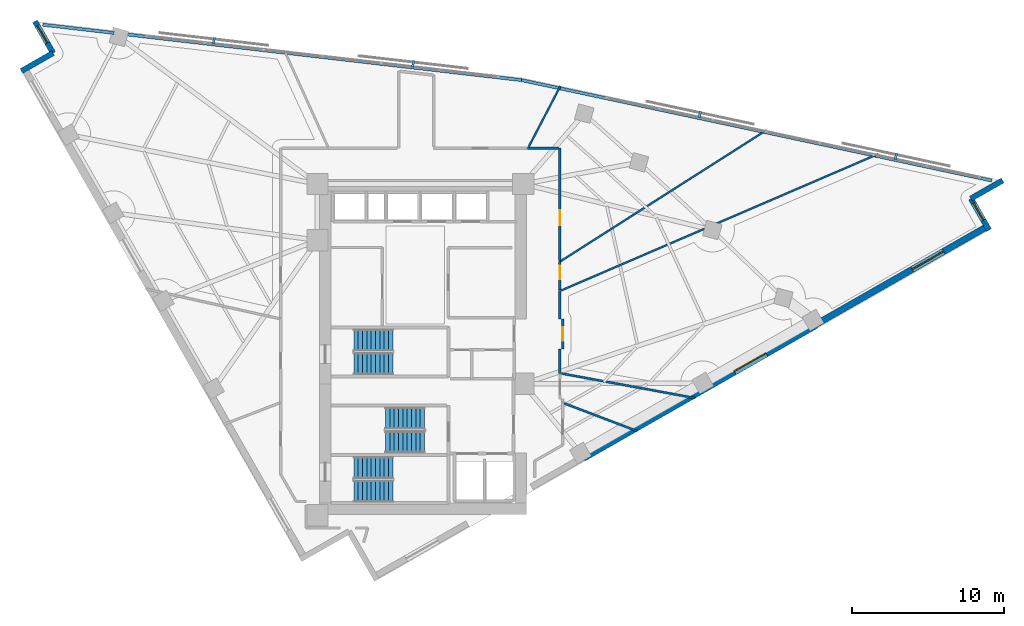
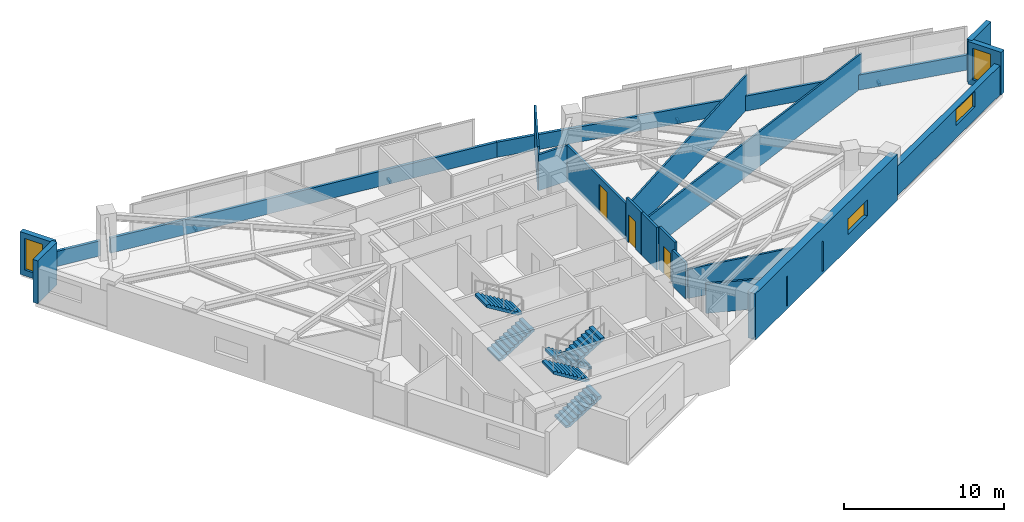
# One storey, part 11 of 13: 20 walls, 6 stair flights, 4 discrete accessories, 4 windows, 3 doors, 7 openings, 3 elements without a shape of their own.
"""IFC4 building model written with IfcOpenShell, lengths in metres."""

import ifcopenshell
import ifcopenshell.guid

model = None  # the IFC model being written
_history = None  # IfcOwnerHistory: only IFC2X3 demands one
_inside = {}  # id of a spatial element -> (the spatial element, [elements in it])
_under = {}  # id of a project, library or spatial element -> (it, [spatial elements below it])
_declared = {}  # id of a project -> (the project, [libraries it declares])
_typed = {}  # id of a type object -> (the type object, [elements of that type])
_made_of = {}  # id of a material, layer set ... -> (it, [elements and type objects made of it])


def new_model(schema):
    """Start an empty IFC model of exactly this schema.

    Asked for "IFC4X3", IfcOpenShell would pick the latest addendum, in which some entities
    have other attributes; the version numbers below select the first issue.
    IFC2X3 requires an IfcOwnerHistory on every rooted entity: one is made here for all.
    """
    global model, _history
    if schema == "IFC4X3":
        model = ifcopenshell.file(schema_version=(4, 3, 0, 0))
    else:
        model = ifcopenshell.file(schema=schema)
    _inside.clear()
    _under.clear()
    _declared.clear()
    _typed.clear()
    _made_of.clear()
    _history = None
    if model.schema == "IFC2X3":
        org = make("IfcOrganization", Name="unknown")
        user = make(
            "IfcPersonAndOrganization",
            ThePerson=make("IfcPerson", FamilyName="unknown"),
            TheOrganization=org,
        )
        app = make(
            "IfcApplication",
            ApplicationDeveloper=org,
            Version="unknown",
            ApplicationFullName="unknown",
            ApplicationIdentifier="unknown",
        )
        _history = make(
            "IfcOwnerHistory",
            OwningUser=user,
            OwningApplication=app,
            ChangeAction="ADDED",
            CreationDate=0,
        )
    return model


def make(cls, **values):
    """One entity of the class cls with the attributes given. An attribute that is None is left unset."""
    return model.create_entity(
        cls, **{name: value for name, value in values.items() if value is not None}
    )


def rooted(cls, **values):
    """An entity with a GlobalId (a new one), such as an element, a storey or a relation."""
    return make(cls, GlobalId=ifcopenshell.guid.new(), OwnerHistory=_history, **values)


def si_unit(unit_type, name, prefix=None):
    """IfcSIUnit, for example si_unit("LENGTHUNIT", "METRE", prefix="MILLI")."""
    return make("IfcSIUnit", UnitType=unit_type, Prefix=prefix, Name=name)


def assignment(units):
    """IfcUnitAssignment: the units of a project."""
    return None if units is None else make("IfcUnitAssignment", Units=units)


def point(xyz):
    """IfcCartesianPoint."""
    return None if xyz is None else make("IfcCartesianPoint", Coordinates=xyz)


def direction(xyz):
    """IfcDirection."""
    return None if xyz is None else make("IfcDirection", DirectionRatios=xyz)


def frame(location, z_axis=None, x_axis=None):
    """IfcAxis2Placement3D, a coordinate frame: its origin and axes. An axis left out is left unset."""
    return make(
        "IfcAxis2Placement3D",
        Location=point(location),
        Axis=direction(z_axis),
        RefDirection=direction(x_axis),
    )


def frame_2d(location, x_axis=None):
    """IfcAxis2Placement2D, a coordinate frame in the plane: its origin and x axis."""
    return make(
        "IfcAxis2Placement2D", Location=point(location), RefDirection=direction(x_axis)
    )


def origin():
    """The frame at (0, 0, 0) with its axes left unset."""
    return frame((0.0, 0.0, 0.0))


def origin_2d():
    """The frame at (0, 0) in the plane with its x axis left unset."""
    return frame_2d((0.0, 0.0))


def place(relative_to, where):
    """IfcLocalPlacement: puts the frame where relative to a parent placement (None: the world)."""
    return make(
        "IfcLocalPlacement", PlacementRelTo=relative_to, RelativePlacement=where
    )


def context(
    kind, dimensions, precision=None, world=None, true_north=None, identifier=None
):
    """IfcGeometricRepresentationContext, for example the 3D "Model" context."""
    return make(
        "IfcGeometricRepresentationContext",
        ContextIdentifier=identifier,
        ContextType=kind,
        CoordinateSpaceDimension=dimensions,
        Precision=precision,
        WorldCoordinateSystem=world,
        TrueNorth=true_north,
    )


def subcontext(parent, identifier, kind, view, scale=None):
    """IfcGeometricRepresentationSubContext, for example "Body" below "Model"."""
    return make(
        "IfcGeometricRepresentationSubContext",
        ContextIdentifier=identifier,
        ContextType=kind,
        ParentContext=parent,
        TargetScale=scale,
        TargetView=view,
    )


def project(units=None, contexts=None):
    """IfcProject with its units and contexts."""
    return rooted(
        "IfcProject",
        Name="project",
        RepresentationContexts=contexts,
        UnitsInContext=assignment(units),
    )


def spatial(cls, under=None, at=None, **own):
    """A site, building, storey or space (cls), placed at a placement, below another one or the project."""
    s = rooted(cls, ObjectPlacement=at, **own)
    if under is not None:
        _under.setdefault(under.id(), (under, []))[1].append(s)
    return s


def polyline(points):
    """IfcPolyline through the points."""
    return make("IfcPolyline", Points=[point(p) for p in points])


def profile(cls, at=None, kind="AREA", **sizes):
    """A parametric profile (cls). Its sizes go by their IFC names, for example OverallWidth=200.0."""
    return make(cls, ProfileType=kind, Position=at, **sizes)


def rectangle(**sizes):
    """IfcRectangleProfileDef."""
    return profile("IfcRectangleProfileDef", **sizes)


def outline(outer, holes=None, kind="AREA"):
    """IfcArbitraryClosedProfileDef: a profile drawn as a closed curve; with holes, ...WithVoids."""
    if holes is None:
        return make("IfcArbitraryClosedProfileDef", ProfileType=kind, OuterCurve=outer)
    return make(
        "IfcArbitraryProfileDefWithVoids",
        ProfileType=kind,
        OuterCurve=outer,
        InnerCurves=holes,
    )


def extrude(swept, where, along, depth):
    """IfcExtrudedAreaSolid: the profile swept, set in the frame where, extruded along a direction by depth."""
    return make(
        "IfcExtrudedAreaSolid",
        SweptArea=swept,
        Position=where,
        ExtrudedDirection=direction(along),
        Depth=depth,
    )


def shape(context_of_items, identifier, shape_type, items):
    """IfcShapeRepresentation: the items that make up one representation, for example the "Body"."""
    return make(
        "IfcShapeRepresentation",
        ContextOfItems=context_of_items,
        RepresentationIdentifier=identifier,
        RepresentationType=shape_type,
        Items=items,
    )


def material(Name=None, Category=None):
    """IfcMaterial."""
    return make("IfcMaterial", Name=Name, Category=Category)


def layer(
    of_material, thickness, ventilated=None, Name=None, Category=None, Priority=None
):
    """IfcMaterialLayer: one layer of a wall or slab, of a material (None: an air gap)."""
    return make(
        "IfcMaterialLayer",
        Material=of_material,
        LayerThickness=thickness,
        IsVentilated=ventilated,
        Name=Name,
        Category=Category,
        Priority=Priority,
    )


def layer_set(layers, Name=None):
    """IfcMaterialLayerSet."""
    return make("IfcMaterialLayerSet", MaterialLayers=layers, LayerSetName=Name)


def made_of(thing, what):
    """Note that an element or type object is made of a material, layer set ...; save() writes the relation."""
    if what is not None:
        _made_of.setdefault(what.id(), (what, []))[1].append(thing)
    return thing


def type_object(cls, material=None, **own):
    """A type object (cls), such as IfcWallType, which elements share."""
    return made_of(rooted(cls, **own), material)


def element(
    cls,
    number,
    at=None,
    inside=None,
    cuts=None,
    type_object=None,
    material=None,
    context=None,
    identifier="Body",
    shape_type=None,
    held_by="IfcProductDefinitionShape",
    body=None,
    shapes=None,
    **own,
):
    """One element of the class cls, such as IfcWall. Its Tag is "e" and its number.

    at: its placement. inside: the storey or other place that contains it. cuts: it is an
    opening in that element (IfcRelVoidsElement). A single representation is given by context,
    identifier, shape_type and body (its items); several are given by shapes. held_by: the class
    of the entity that holds the representations. save() writes the other relations.
    """
    e = rooted(cls, Tag="e%d" % number, ObjectPlacement=at, **own)
    if body is not None:
        shapes = [shape(context, identifier, shape_type, body)]
    if shapes is not None:
        e.Representation = make(held_by, Representations=shapes)
    if inside is not None:
        _inside.setdefault(inside.id(), (inside, []))[1].append(e)
    if cuts is not None:
        rooted(
            "IfcRelVoidsElement", RelatingBuildingElement=cuts, RelatedOpeningElement=e
        )
    if type_object is not None:
        _typed.setdefault(type_object.id(), (type_object, []))[1].append(e)
    return made_of(e, material)


def fill(opening, filler):
    """IfcRelFillsElement: the door or window that sits in an opening."""
    return rooted(
        "IfcRelFillsElement",
        RelatingOpeningElement=opening,
        RelatedBuildingElement=filler,
    )


def aggregate(whole, parts):
    """IfcRelAggregates: a whole, such as a stair, and the parts it consists of."""
    return rooted("IfcRelAggregates", RelatingObject=whole, RelatedObjects=parts)


def save(model, path):
    """Write the relations noted so far, then the file.

    IfcRelAggregates (storeys below a building ...), IfcRelContainedInSpatialStructure (elements
    in a storey), IfcRelDefinesByType, IfcRelAssociatesMaterial and IfcRelDeclares: one each for
    every whole, place, type object, material and project.
    """
    for whole, parts in _under.values():
        aggregate(whole, parts)
    for where, things in _inside.values():
        rooted(
            "IfcRelContainedInSpatialStructure",
            RelatedElements=things,
            RelatingStructure=where,
        )
    for kind, things in _typed.values():
        rooted("IfcRelDefinesByType", RelatedObjects=things, RelatingType=kind)
    for what, things in _made_of.values():
        rooted("IfcRelAssociatesMaterial", RelatedObjects=things, RelatingMaterial=what)
    for by, libraries in _declared.values():
        rooted("IfcRelDeclares", RelatingContext=by, RelatedDefinitions=libraries)
    model.write(path)


model = new_model("IFC4")

# Units and contexts
model_context = context("Model", 3, precision=1e-05, world=origin(), true_north=direction((0.0, 1.0)))
body_context = subcontext(model_context, "Body", "Model", "MODEL_VIEW")
ifc_project = project(units=[si_unit("LENGTHUNIT", "METRE"), si_unit("AREAUNIT", "SQUARE_METRE"), si_unit("VOLUMEUNIT", "CUBIC_METRE"), si_unit("PLANEANGLEUNIT", "RADIAN"), si_unit("MASSUNIT", "GRAM", prefix="KILO")], contexts=[model_context])

# Site, building, storey
site_placement = place(None, origin())
site = spatial("IfcSite", under=ifc_project, at=site_placement, CompositionType="ELEMENT")
building_placement = place(site_placement, origin())
building = spatial("IfcBuilding", under=site, at=building_placement, Name="Narakoshi Arena Tower", CompositionType="ELEMENT")
storey_placement = place(building_placement, frame((0.0, 0.0, 225.5400390625)))
storey = spatial("IfcBuildingStorey", under=building, at=storey_placement, Name="L61", CompositionType="ELEMENT", Elevation=225.5400390625)

# Wall, opening, door
ifc_material_1 = material(Name="Gypsum plasterboard fire-rated partition")
ifc_layer_1 = layer(ifc_material_1, 0.1650390625)
ifc_layer_set_1 = layer_set([ifc_layer_1], Name="Gypsum plasterboard fire-rated partition")
wall_type_1 = type_object("IfcWallType", Name="WL-CORR-165", PredefinedType="PARTITIONING", material=ifc_layer_set_1)
wall_1_placement = place(storey_placement, frame((88.14990234375, 45.64990234375, 0.0), z_axis=(0.0, 0.0, 1.0), x_axis=(0.0, 1.0, 0.0)))
wall_1 = element("IfcWall", 1, at=wall_1_placement, inside=storey, type_object=wall_type_1, Name="L61 Corridor Partition 04-1", PredefinedType="PARTITIONING", context=body_context, shape_type="SweptSolid", body=[
    extrude(rectangle(XDim=1.97021484375, YDim=0.1650390625, at=frame_2d((0.985107421875, 0.0))), origin(), (0.0, 0.0, 1.0), 3.260009765625),
])
opening_1_placement = place(wall_1_placement, frame((0.534912109375, 0.0, 0.0)))
opening_1 = element("IfcOpeningElement", 2, at=opening_1_placement, cuts=wall_1, Name="Opening D-08", PredefinedType="OPENING", context=body_context, shape_type="SweptSolid", body=[
    extrude(rectangle(XDim=0.89990234375, YDim=2.10009765625, at=frame_2d((0.449951171875, 1.050048828125))), frame((0.0, 0.092529296875, 0.0), z_axis=(0.0, -1.0, 0.0), x_axis=(1.0, 0.0, 0.0)), (0.0, 0.0, 1.0), 0.18505859375),
])
ifc_material_2 = material(Name="Moisture-resistant laminate timber", Category="wood")
door_type_1 = type_object("IfcDoorType", Name="DR-WC-900", OperationType="NOTDEFINED", PredefinedType="DOOR", material=ifc_material_2)
door_1_placement = place(opening_1_placement, frame((0.89990234375, 0.0, 0.0), z_axis=(0.0, 0.0, 1.0), x_axis=(-1.0, 0.0, 0.0)))
door_1 = element("IfcDoor", 3, at=door_1_placement, inside=storey, type_object=door_type_1, Name="DR-L61-018", OperationType="SINGLE_SWING_RIGHT", OverallHeight=2.10009765625, OverallWidth=0.89990234375, PredefinedType="DOOR", context=body_context, shape_type="SweptSolid", body=[
    extrude(rectangle(XDim=0.89990234375, YDim=2.10009765625, at=frame_2d((0.449951171875, 1.050048828125))), frame((0.0, 0.02490234375, 0.0), z_axis=(0.0, -1.0, 0.0), x_axis=(1.0, 0.0, 0.0)), (0.0, 0.0, 1.0), 0.050048828125),
])
fill(opening_1, door_1)

# Walls
wall_2_placement = place(storey_placement, frame((87.966796875, 47.6201171875, 0.0), z_axis=(0.0, 0.0, 1.0), x_axis=(0.0, 1.0, 0.0)))
element("IfcWall", 4, at=wall_2_placement, inside=storey, type_object=wall_type_1, Name="L61 Corridor Partition 04-2", PredefinedType="PARTITIONING", context=body_context, shape_type="SweptSolid", body=[
    extrude(rectangle(XDim=1.872802734375, YDim=0.1650390625, at=frame_2d((0.9365234375, 0.0))), origin(), (0.0, 0.0, 1.0), 3.260009765625),
])
wall_3_placement = place(storey_placement, frame((87.966796875, 44.01220703125, 0.0), z_axis=(0.0, 0.0, 1.0), x_axis=(0.0, 1.0, 0.0)))
element("IfcWall", 5, at=wall_3_placement, inside=storey, type_object=wall_type_1, Name="L61 Corridor Partition 04-3", PredefinedType="PARTITIONING", context=body_context, shape_type="SweptSolid", body=[
    extrude(rectangle(XDim=1.6376953125, YDim=0.1650390625, at=frame_2d((0.81884765625, 0.0))), origin(), (0.0, 0.0, 1.0), 2.744873046875),
])

# Wall, opening, door
wall_4_placement = place(storey_placement, frame((87.966796875, 49.51904296875, 0.0), z_axis=(0.0, 0.0, 1.0), x_axis=(0.0, 1.0, 0.0)))
wall_4 = element("IfcWall", 6, at=wall_4_placement, inside=storey, type_object=wall_type_1, Name="L61 Corridor Partition 06-1", PredefinedType="PARTITIONING", context=body_context, shape_type="SweptSolid", body=[
    extrude(rectangle(XDim=1.873046875, YDim=0.1650390625, at=frame_2d((0.9365234375, 0.0))), origin(), (0.0, 0.0, 1.0), 3.260009765625),
])
opening_2_placement = place(wall_4_placement, frame((0.7041015625, 0.0, 0.0)))
opening_2 = element("IfcOpeningElement", 7, at=opening_2_placement, cuts=wall_4, Name="Opening D-08", PredefinedType="OPENING", context=body_context, shape_type="SweptSolid", body=[
    extrude(rectangle(XDim=0.89990234375, YDim=2.10009765625, at=frame_2d((0.449951171875, 1.050048828125))), frame((0.0, 0.092529296875, 0.0), z_axis=(0.0, -1.0, 0.0), x_axis=(1.0, 0.0, 0.0)), (0.0, 0.0, 1.0), 0.18505859375),
])
door_2_placement = place(opening_2_placement, frame((0.89990234375, 0.0, 0.0), z_axis=(0.0, 0.0, 1.0), x_axis=(-1.0, 0.0, 0.0)))
door_2 = element("IfcDoor", 8, at=door_2_placement, inside=storey, type_object=door_type_1, Name="DR-L61-020", OperationType="SINGLE_SWING_RIGHT", OverallHeight=2.10009765625, OverallWidth=0.89990234375, PredefinedType="DOOR", context=body_context, shape_type="SweptSolid", body=[
    extrude(rectangle(XDim=0.89990234375, YDim=2.10009765625, at=frame_2d((0.449951171875, 1.050048828125))), frame((0.0, 0.02490234375, 0.0), z_axis=(0.0, -1.0, 0.0), x_axis=(1.0, 0.0, 0.0)), (0.0, 0.0, 1.0), 0.050048828125),
])
fill(opening_2, door_2)

wall_5_placement = place(storey_placement, frame((87.966796875, 51.480224609375, 0.0), z_axis=(0.0, 0.0, 1.0), x_axis=(0.0, 1.0, 0.0)))
wall_5 = element("IfcWall", 9, at=wall_5_placement, inside=storey, type_object=wall_type_1, Name="L61 Corridor Partition 07-1", PredefinedType="PARTITIONING", context=body_context, shape_type="SweptSolid", body=[
    extrude(rectangle(XDim=7.386474609375, YDim=0.1650390625, at=frame_2d((3.693359375, 0.0))), origin(), (0.0, 0.0, 1.0), 2.744873046875),
])
opening_3_placement = place(wall_5_placement, frame((2.29541015625, 0.0, 0.0)))
opening_3 = element("IfcOpeningElement", 10, at=opening_3_placement, cuts=wall_5, Name="Opening D-06", PredefinedType="OPENING", context=body_context, shape_type="SweptSolid", body=[
    extrude(rectangle(XDim=1.0, YDim=2.199951171875, at=frame_2d((0.5, 1.10009765625))), frame((0.0, 0.092529296875, 0.0), z_axis=(0.0, -1.0, 0.0), x_axis=(1.0, 0.0, 0.0)), (0.0, 0.0, 1.0), 0.18505859375),
])
ifc_material_3 = material(Name="Stained oak solid-core timber", Category="wood")
door_type_2 = type_object("IfcDoorType", Name="DR-OFF-1000", OperationType="NOTDEFINED", PredefinedType="DOOR", material=ifc_material_3)
door_3_placement = place(opening_3_placement, frame((1.0, 0.0, 0.0), z_axis=(0.0, 0.0, 1.0), x_axis=(-1.0, 0.0, 0.0)))
door_3 = element("IfcDoor", 11, at=door_3_placement, inside=storey, type_object=door_type_2, Name="DR-L61-021", OperationType="SINGLE_SWING_LEFT", OverallHeight=2.199951171875, OverallWidth=1.0, PredefinedType="DOOR", context=body_context, shape_type="SweptSolid", body=[
    extrude(rectangle(XDim=1.0, YDim=2.199951171875, at=frame_2d((0.5, 1.10009765625))), frame((0.0, 0.02490234375, 0.0), z_axis=(0.0, -1.0, 0.0), x_axis=(1.0, 0.0, 0.0)), (0.0, 0.0, 1.0), 0.050048828125),
])
fill(opening_3, door_3)

# Wall
wall_6_placement = place(storey_placement, frame((87.872314453125, 58.86669921875, 0.0), z_axis=(0.0, 0.0, 1.0), x_axis=(-1.0, 0.0, 0.0)))
element("IfcWall", 12, at=wall_6_placement, inside=storey, type_object=wall_type_1, Name="L61 Corridor Partition 07-2", PredefinedType="PARTITIONING", context=body_context, shape_type="SweptSolid", body=[
    extrude(rectangle(XDim=2.049072265625, YDim=0.1650390625, at=frame_2d((1.0244140625, 0.0))), origin(), (0.0, 0.0, 1.0), 2.744873046875),
])

# Wall, opening, window
ifc_material_4 = material(Name="Concrete C50/60", Category="concrete")
ifc_layer_2 = layer(ifc_material_4, 0.550048828125)
ifc_layer_set_2 = layer_set([ifc_layer_2], Name="Concrete C50/60")
wall_type_2 = type_object("IfcWallType", Name="WL-LEG-550", PredefinedType="SHEAR", material=ifc_layer_set_2)
wall_7_placement = place(storey_placement, frame((89.479248046875, 38.4990234375, -0.260009765625), z_axis=(0.0, 0.0, 1.0), x_axis=(0.868197136736, 0.496219439123, 0.0)))
wall_7 = element("IfcWall", 13, at=wall_7_placement, inside=storey, type_object=wall_type_2, Name="L61 Architectural Concrete Structural Wall LEGA-3", PredefinedType="SHEAR", context=body_context, shape_type="SweptSolid", body=[
    extrude(rectangle(XDim=17.63623046875, YDim=0.550048828125, at=frame_2d((8.818115234375, 0.0))), origin(), (0.0, 0.0, 1.0), 3.52001953125),
])
opening_4_placement = place(wall_7_placement, frame((11.463623046875, 0.0, 1.10009765625)))
opening_4 = element("IfcOpeningElement", 14, at=opening_4_placement, cuts=wall_7, Name="Opening WN-04", PredefinedType="OPENING", context=body_context, shape_type="SweptSolid", body=[
    extrude(rectangle(XDim=2.39990234375, YDim=1.199951171875, at=frame_2d((1.199951171875, 0.60009765625))), frame((0.0, 0.284912109375, 0.0), z_axis=(0.0, -1.0, 0.0), x_axis=(1.0, 0.0, 0.0)), (0.0, 0.0, 1.0), 0.570068359375),
])
ifc_material_5 = material(Name="Bronze-tinted low-E laminated glass", Category="glass")
window_type_1 = type_object("IfcWindowType", Name="WIN-SLT-24x12", PartitioningType="SINGLE_PANEL", PredefinedType="WINDOW", material=ifc_material_5)
window_1_placement = place(opening_4_placement, origin())
window_1 = element("IfcWindow", 15, at=window_1_placement, inside=storey, type_object=window_type_1, Name="L61 LEGA3 Horizontal Slot Window 1", OverallHeight=1.199951171875, OverallWidth=2.39990234375, PartitioningType="SINGLE_PANEL", PredefinedType="WINDOW", context=body_context, shape_type="SweptSolid", body=[
    extrude(rectangle(XDim=2.39990234375, YDim=1.199951171875, at=frame_2d((1.199951171875, 0.60009765625))), frame((0.0, 0.030029296875, 0.0), z_axis=(0.0, -1.0, 0.0), x_axis=(1.0, 0.0, 0.0)), (0.0, 0.0, 1.0), 0.06005859375),
])
fill(opening_4, window_1)

# Walls
ifc_material_6 = material(Name="Precast concrete C45/55", Category="concrete")
ifc_layer_3 = layer(ifc_material_6, 0.25)
ifc_layer_set_3 = layer_set([ifc_layer_3], Name="Precast concrete C45/55")
wall_type_3 = type_object("IfcWallType", Name="WL-PARA-250", PredefinedType="PARAPET", material=ifc_layer_set_3)
wall_8_placement = place(storey_placement, frame((116.3955078125, 56.7216796875, 0.0), z_axis=(0.0, 0.0, 1.0), x_axis=(-0.977936620644, 0.208901809478, 0.0)))
element("IfcWall", 16, at=wall_8_placement, inside=storey, type_object=wall_type_3, Name="L61 Hypotenuse Sill Upstand Parapet 1-01", PredefinedType="PARAPET", context=body_context, shape_type="SweptSolid", body=[
    extrude(rectangle(XDim=31.685302734375, YDim=0.199951171875, at=frame_2d((15.8427734375, 0.0))), origin(), (0.0, 0.0, 1.0), 1.14990234375),
])
wall_9_placement = place(storey_placement, frame((85.42431640625, 63.33837890625, 0.0), z_axis=(0.0, 0.0, 1.0), x_axis=(-0.993364714048, 0.115006716693, 0.0)))
element("IfcWall", 17, at=wall_9_placement, inside=storey, type_object=wall_type_3, Name="L61 Hypotenuse Sill Upstand Parapet 2-01", PredefinedType="PARAPET", context=body_context, shape_type="SweptSolid", body=[
    extrude(rectangle(XDim=26.302001953125, YDim=0.199951171875, at=frame_2d((13.15087890625, 0.0))), origin(), (0.0, 0.0, 1.0), 1.14990234375),
])
wall_10_placement = place(storey_placement, frame((58.621826171875, 66.44140625, 0.0), z_axis=(0.0, 0.0, 1.0), x_axis=(-0.993362937665, 0.115022059074, 0.0)))
element("IfcWall", 18, at=wall_10_placement, inside=storey, type_object=wall_type_3, Name="L61 Hypotenuse Sill Upstand Parapet 2-02", PredefinedType="PARAPET", context=body_context, shape_type="SweptSolid", body=[
    extrude(rectangle(XDim=4.72705078125, YDim=0.199951171875, at=frame_2d((2.363525390625, 0.0))), origin(), (0.0, 0.0, 1.0), 1.14990234375),
])
ifc_layer_4 = layer(ifc_material_1, 0.125)
ifc_layer_set_4 = layer_set([ifc_layer_4], Name="Gypsum plasterboard fire-rated partition")
wall_type_4 = type_object("IfcWallType", Name="WL-PART-125", PredefinedType="PARTITIONING", material=ifc_layer_set_4)
wall_11_placement = place(storey_placement, frame((88.04541015625, 49.492919921875, 0.0), z_axis=(0.0, 0.0, 1.0), x_axis=(0.918480929911, 0.395465272041, 0.0)))
element("IfcWall", 19, at=wall_11_placement, inside=storey, type_object=wall_type_4, Name="L61 Inter-Room Partition 04-06", PredefinedType="PARTITIONING", context=body_context, shape_type="SweptSolid", body=[
    extrude(rectangle(XDim=22.7294921875, YDim=0.125, at=frame_2d((11.36474609375, 0.0))), origin(), (0.0, 0.0, 1.0), 2.64501953125),
])
wall_12_placement = place(storey_placement, frame((87.966796875, 51.39208984375, 0.0), z_axis=(0.0, 0.0, 1.0), x_axis=(0.843496225595, 0.537135101634, 0.0)))
element("IfcWall", 20, at=wall_12_placement, inside=storey, type_object=wall_type_4, Name="L61 Inter-Room Partition 06-07", PredefinedType="PARTITIONING", context=body_context, shape_type="SweptSolid", body=[
    extrude(rectangle(XDim=16.123779296875, YDim=0.125, at=frame_2d((8.06201171875, 0.0))), origin(), (0.0, 0.0, 1.0), 2.64501953125),
])
wall_13_placement = place(storey_placement, frame((85.9130859375, 58.961181640625, 0.0), z_axis=(0.0, 0.0, 1.0), x_axis=(0.462551177511, 0.886592582973, 0.0)))
element("IfcWall", 21, at=wall_13_placement, inside=storey, type_object=wall_type_4, Name="L61 Inter-Room Partition 07-08", PredefinedType="PARTITIONING", context=body_context, shape_type="SweptSolid", body=[
    extrude(rectangle(XDim=4.501220703125, YDim=0.125, at=frame_2d((2.25048828125, 0.0))), origin(), (0.0, 0.0, 1.0), 3.260009765625),
])

# Wall, opening, window
ifc_layer_5 = layer(ifc_material_6, 0.419921875)
ifc_layer_set_5 = layer_set([ifc_layer_5], Name="Precast concrete C45/55")
wall_type_5 = type_object("IfcWallType", Name="WL-POD-420", PredefinedType="SOLIDWALL", material=ifc_layer_set_5)
wall_14_placement = place(storey_placement, frame((104.791015625, 47.25048828125, 0.0), z_axis=(0.0, 0.0, 1.0), x_axis=(0.868193423982, 0.496225934987, 0.0)))
wall_14 = element("IfcWall", 22, at=wall_14_placement, inside=storey, type_object=wall_type_5, Name="L61 Architectural Concrete Facade Wall LEGA-4", PredefinedType="SOLIDWALL", context=body_context, shape_type="SweptSolid", body=[
    extrude(rectangle(XDim=12.9951171875, YDim=0.419921875, at=frame_2d((6.49755859375, 0.0))), origin(), (0.0, 0.0, 1.0), 2.244873046875),
])
opening_5_placement = place(wall_14_placement, frame((7.309814453125, 0.0, 0.965087890625)))
opening_5 = element("IfcOpeningElement", 23, at=opening_5_placement, cuts=wall_14, Name="Opening WN-04", PredefinedType="OPENING", context=body_context, shape_type="SweptSolid", body=[
    extrude(rectangle(XDim=2.39990234375, YDim=1.199951171875, at=frame_2d((1.199951171875, 0.60009765625))), frame((0.0, 0.219970703125, 0.0), z_axis=(0.0, -1.0, 0.0), x_axis=(1.0, 0.0, 0.0)), (0.0, 0.0, 1.0), 0.43994140625),
])
window_2_placement = place(opening_5_placement, origin())
window_2 = element("IfcWindow", 24, at=window_2_placement, inside=storey, type_object=window_type_1, Name="L61 LEGA4 Horizontal Slot Window 1", OverallHeight=1.199951171875, OverallWidth=2.39990234375, PartitioningType="SINGLE_PANEL", PredefinedType="WINDOW", context=body_context, shape_type="SweptSolid", body=[
    extrude(rectangle(XDim=2.39990234375, YDim=1.199951171875, at=frame_2d((1.199951171875, 0.60009765625))), frame((0.0, 0.030029296875, 0.0), z_axis=(0.0, -1.0, 0.0), x_axis=(1.0, 0.0, 0.0)), (0.0, 0.0, 1.0), 0.06005859375),
])
fill(opening_5, window_2)

wall_15_placement = place(storey_placement, frame((116.209716796875, 53.460205078125, 0.0), z_axis=(0.0, 0.0, 1.0), x_axis=(-0.496215637313, 0.868199309655, 0.0)))
wall_15 = element("IfcWall", 25, at=wall_15_placement, inside=storey, type_object=wall_type_5, Name="L61 Re-Entrant Corner Notch Wall NTE-1", PredefinedType="SOLIDWALL", context=body_context, shape_type="SweptSolid", body=[
    extrude(rectangle(XDim=2.3994140625, YDim=0.360107421875, at=frame_2d((1.19970703125, 0.0))), origin(), (0.0, 0.0, 1.0), 3.260009765625),
])
opening_6_placement = place(wall_15_placement, frame((0.759765625, 0.0, 0.449951171875)))
opening_6 = element("IfcOpeningElement", 26, at=opening_6_placement, cuts=wall_15, Name="Opening WN-06", PredefinedType="OPENING", context=body_context, shape_type="SweptSolid", body=[
    extrude(rectangle(XDim=1.300048828125, YDim=2.39990234375, at=frame_2d((0.64990234375, 1.199951171875))), frame((0.0, 0.18994140625, 0.0), z_axis=(0.0, -1.0, 0.0), x_axis=(1.0, 0.0, 0.0)), (0.0, 0.0, 1.0), 0.380126953125),
])
window_type_2 = type_object("IfcWindowType", Name="WIN-NTC-16x24", PartitioningType="SINGLE_PANEL", PredefinedType="WINDOW", material=ifc_material_5)
window_3_placement = place(opening_6_placement, origin())
window_3 = element("IfcWindow", 27, at=window_3_placement, inside=storey, type_object=window_type_2, Name="L61 Corner Notch Window NTE", OverallHeight=2.39990234375, OverallWidth=1.300048828125, PartitioningType="SINGLE_PANEL", PredefinedType="WINDOW", context=body_context, shape_type="SweptSolid", body=[
    extrude(rectangle(XDim=1.300048828125, YDim=2.39990234375, at=frame_2d((0.64990234375, 1.199951171875))), frame((0.0, 0.030029296875, 0.0), z_axis=(0.0, -1.0, 0.0), x_axis=(1.0, 0.0, 0.0)), (0.0, 0.0, 1.0), 0.06005859375),
])
fill(opening_6, window_3)

# Wall
wall_16_placement = place(storey_placement, frame((115.01904296875, 55.54345703125, 0.0), z_axis=(0.0, 0.0, 1.0), x_axis=(0.86818053093, 0.4962484919, 0.0)))
element("IfcWall", 28, at=wall_16_placement, inside=storey, type_object=wall_type_5, Name="L61 Re-Entrant Corner Notch Wall NTE-2", PredefinedType="SOLIDWALL", context=body_context, shape_type="SweptSolid", body=[
    extrude(rectangle(XDim=2.39990234375, YDim=0.360107421875, at=frame_2d((1.199951171875, 0.0))), origin(), (0.0, 0.0, 1.0), 3.260009765625),
])

# Wall, opening, window
wall_17_placement = place(storey_placement, frame((53.408203125, 67.2060546875, 0.0), z_axis=(0.0, 0.0, 1.0), x_axis=(0.496292324652, -0.868155474838, 0.0)))
wall_17 = element("IfcWall", 29, at=wall_17_placement, inside=storey, type_object=wall_type_5, Name="L61 Re-Entrant Corner Notch Wall NTN-1", PredefinedType="SOLIDWALL", context=body_context, shape_type="SweptSolid", body=[
    extrude(rectangle(XDim=2.399658203125, YDim=0.360107421875, at=frame_2d((1.19970703125, 0.0))), origin(), (0.0, 0.0, 1.0), 3.260009765625),
])
opening_7_placement = place(wall_17_placement, frame((0.340087890625, 0.0, 0.449951171875)))
opening_7 = element("IfcOpeningElement", 30, at=opening_7_placement, cuts=wall_17, Name="Opening WN-06", PredefinedType="OPENING", context=body_context, shape_type="SweptSolid", body=[
    extrude(rectangle(XDim=1.300048828125, YDim=2.39990234375, at=frame_2d((0.64990234375, 1.199951171875))), frame((0.0, 0.18994140625, 0.0), z_axis=(0.0, -1.0, 0.0), x_axis=(1.0, 0.0, 0.0)), (0.0, 0.0, 1.0), 0.380126953125),
])
window_4_placement = place(opening_7_placement, origin())
window_4 = element("IfcWindow", 31, at=window_4_placement, inside=storey, type_object=window_type_2, Name="L61 Corner Notch Window NTN", OverallHeight=2.39990234375, OverallWidth=1.300048828125, PartitioningType="SINGLE_PANEL", PredefinedType="WINDOW", context=body_context, shape_type="SweptSolid", body=[
    extrude(rectangle(XDim=1.300048828125, YDim=2.39990234375, at=frame_2d((0.64990234375, 1.199951171875))), frame((0.0, 0.030029296875, 0.0), z_axis=(0.0, -1.0, 0.0), x_axis=(1.0, 0.0, 0.0)), (0.0, 0.0, 1.0), 0.06005859375),
])
fill(opening_7, window_4)

# Walls
wall_18_placement = place(storey_placement, frame((54.59912109375, 65.122802734375, 0.0), z_axis=(0.0, 0.0, 1.0), x_axis=(-0.86818053093, -0.4962484919, 0.0)))
element("IfcWall", 32, at=wall_18_placement, inside=storey, type_object=wall_type_5, Name="L61 Re-Entrant Corner Notch Wall NTN-2", PredefinedType="SOLIDWALL", context=body_context, shape_type="SweptSolid", body=[
    extrude(rectangle(XDim=2.39990234375, YDim=0.360107421875, at=frame_2d((1.199951171875, 0.0))), origin(), (0.0, 0.0, 1.0), 3.260009765625),
])
ifc_material_7 = material(Name="Moisture-resistant cement-board partition")
ifc_layer_6 = layer(ifc_material_7, 0.14501953125)
ifc_layer_set_6 = layer_set([ifc_layer_6], Name="Moisture-resistant cement-board partition")
wall_type_6 = type_object("IfcWallType", Name="WL-WET-145", PredefinedType="PARTITIONING", material=ifc_layer_set_6)
wall_19_placement = place(storey_placement, frame((88.234619140625, 42.0673828125, 0.0), z_axis=(0.0, 0.0, 1.0), x_axis=(0.934750944103, -0.355303634232, 0.0)))
element("IfcWall", 33, at=wall_19_placement, inside=storey, type_object=wall_type_6, Name="L61 Inter-Room Partition 03-05", PredefinedType="PARTITIONING", context=body_context, shape_type="SweptSolid", body=[
    extrude(rectangle(XDim=5.167236328125, YDim=0.14501953125, at=frame_2d((2.58349609375, 0.0))), origin(), (0.0, 0.0, 1.0), 2.244873046875),
])
wall_20_placement = place(storey_placement, frame((96.875, 42.4091796875, 0.0), z_axis=(0.0, 0.0, 1.0), x_axis=(-0.98349773653, 0.180920430689, 0.0)))
element("IfcWall", 34, at=wall_20_placement, inside=storey, type_object=wall_type_6, Name="L61 Inter-Room Partition 04-05", PredefinedType="PARTITIONING", context=body_context, shape_type="SweptSolid", body=[
    extrude(rectangle(XDim=8.961669921875, YDim=0.14501953125, at=frame_2d((4.48095703125, 0.0))), origin(), (0.0, 0.0, 1.0), 2.244873046875),
])

# Stair, stair flights
ifc_material_8 = material(Name="Concrete C45/55", Category="concrete")
stair_type = type_object("IfcStairType", Name="STR-CORE-352", PredefinedType="TWO_STRAIGHT_RUN_STAIR", material=ifc_material_8)
stair_1_placement = place(storey_placement, origin())
stair_1 = element("IfcStair", 35, at=stair_1_placement, inside=storey, type_object=stair_type, Name="L61 Core Escape Stair ST1", PredefinedType="TWO_STRAIGHT_RUN_STAIR")
stair_flight_type = type_object("IfcStairFlightType", Name="FLT-145-160", PredefinedType="STRAIGHT", material=ifc_material_6)
stair_flight_1_placement = place(storey_placement, frame((74.39990234375, 36.27490234375, 0.0), z_axis=(0.0, 0.0, 1.0), x_axis=(1.0, 0.0, 0.0)))
stair_flight_1 = element("IfcStairFlight", 36, at=stair_flight_1_placement, type_object=stair_flight_type, Name="ST1 flight 1", NumberOfRisers=10, NumberOfTreads=9, PredefinedType="STRAIGHT", RiserHeight=0.176, TreadLength=0.285, context=body_context, shape_type="SweptSolid", body=[
    extrude(outline(polyline([(0.0, 0.0), (0.0, 0.176025390625), (0.284912109375, 0.176025390625), (0.284912109375, 0.35205078125), (0.570068359375, 0.35205078125), (0.570068359375, 0.528076171875), (0.85498046875, 0.528076171875), (0.85498046875, 0.7041015625), (1.139892578125, 0.7041015625), (1.139892578125, 0.8798828125), (1.425048828125, 0.8798828125), (1.425048828125, 1.055908203125), (1.7099609375, 1.055908203125), (1.7099609375, 1.23193359375), (1.9951171875, 1.23193359375), (1.9951171875, 1.407958984375), (2.280029296875, 1.407958984375), (2.280029296875, 1.583984375), (2.56494140625, 1.583984375), (2.56494140625, 1.760009765625), (2.56494140625, 1.40771484375), (0.285400390625, 0.0), (0.0, 0.0)])), frame((0.0, 0.72509765625, 0.0), z_axis=(0.0, -1.0, 0.0), x_axis=(1.0, 0.0, 0.0)), (0.0, 0.0, 1.0), 1.449951171875),
])
stair_flight_2_placement = place(storey_placement, frame((76.965087890625, 37.824951171875, 1.760009765625), z_axis=(0.0, 0.0, 1.0), x_axis=(-1.0, 0.0, 0.0)))
stair_flight_2 = element("IfcStairFlight", 37, at=stair_flight_2_placement, type_object=stair_flight_type, Name="ST1 flight 2", NumberOfRisers=10, NumberOfTreads=9, PredefinedType="STRAIGHT", RiserHeight=0.176, TreadLength=0.285, context=body_context, shape_type="SweptSolid", body=[
    extrude(outline(polyline([(0.0, 0.0), (0.0, 0.176025390625), (0.284912109375, 0.176025390625), (0.284912109375, 0.35205078125), (0.570068359375, 0.35205078125), (0.570068359375, 0.528076171875), (0.85498046875, 0.528076171875), (0.85498046875, 0.7041015625), (1.139892578125, 0.7041015625), (1.139892578125, 0.8798828125), (1.425048828125, 0.8798828125), (1.425048828125, 1.055908203125), (1.7099609375, 1.055908203125), (1.7099609375, 1.23193359375), (1.9951171875, 1.23193359375), (1.9951171875, 1.407958984375), (2.280029296875, 1.407958984375), (2.280029296875, 1.583984375), (2.56494140625, 1.583984375), (2.56494140625, 1.760009765625), (2.56494140625, 1.40771484375), (0.285400390625, 0.0), (0.0, 0.0)])), frame((0.0, 0.72509765625, 0.0), z_axis=(0.0, -1.0, 0.0), x_axis=(1.0, 0.0, 0.0)), (0.0, 0.0, 1.0), 1.449951171875),
])
aggregate(stair_1, [stair_flight_1, stair_flight_2])

stair_2_placement = place(storey_placement, origin())
stair_2 = element("IfcStair", 38, at=stair_2_placement, inside=storey, type_object=stair_type, Name="L61 Core Escape Stair ST2", PredefinedType="TWO_STRAIGHT_RUN_STAIR")
stair_flight_3_placement = place(storey_placement, frame((79.050048828125, 41.074951171875, 0.0), z_axis=(0.0, 0.0, 1.0), x_axis=(-1.0, 0.0, 0.0)))
stair_flight_3 = element("IfcStairFlight", 39, at=stair_flight_3_placement, type_object=stair_flight_type, Name="ST2 flight 1", NumberOfRisers=10, NumberOfTreads=9, PredefinedType="STRAIGHT", RiserHeight=0.176, TreadLength=0.285, context=body_context, shape_type="SweptSolid", body=[
    extrude(outline(polyline([(0.0, 0.0), (0.0, 0.176025390625), (0.284912109375, 0.176025390625), (0.284912109375, 0.35205078125), (0.570068359375, 0.35205078125), (0.570068359375, 0.528076171875), (0.85498046875, 0.528076171875), (0.85498046875, 0.7041015625), (1.139892578125, 0.7041015625), (1.139892578125, 0.8798828125), (1.425048828125, 0.8798828125), (1.425048828125, 1.055908203125), (1.7099609375, 1.055908203125), (1.7099609375, 1.23193359375), (1.9951171875, 1.23193359375), (1.9951171875, 1.407958984375), (2.280029296875, 1.407958984375), (2.280029296875, 1.583984375), (2.56494140625, 1.583984375), (2.56494140625, 1.760009765625), (2.56494140625, 1.40771484375), (0.285400390625, 0.0), (0.0, 0.0)])), frame((0.0, 0.72509765625, 0.0), z_axis=(0.0, -1.0, 0.0), x_axis=(1.0, 0.0, 0.0)), (0.0, 0.0, 1.0), 1.449951171875),
])
stair_flight_4_placement = place(storey_placement, frame((76.485107421875, 39.52490234375, 1.760009765625), z_axis=(0.0, 0.0, 1.0), x_axis=(1.0, 0.0, 0.0)))
stair_flight_4 = element("IfcStairFlight", 40, at=stair_flight_4_placement, type_object=stair_flight_type, Name="ST2 flight 2", NumberOfRisers=10, NumberOfTreads=9, PredefinedType="STRAIGHT", RiserHeight=0.176, TreadLength=0.285, context=body_context, shape_type="SweptSolid", body=[
    extrude(outline(polyline([(0.0, 0.0), (0.0, 0.176025390625), (0.284912109375, 0.176025390625), (0.284912109375, 0.35205078125), (0.570068359375, 0.35205078125), (0.570068359375, 0.528076171875), (0.85498046875, 0.528076171875), (0.85498046875, 0.7041015625), (1.139892578125, 0.7041015625), (1.139892578125, 0.8798828125), (1.425048828125, 0.8798828125), (1.425048828125, 1.055908203125), (1.7099609375, 1.055908203125), (1.7099609375, 1.23193359375), (1.9951171875, 1.23193359375), (1.9951171875, 1.407958984375), (2.280029296875, 1.407958984375), (2.280029296875, 1.583984375), (2.56494140625, 1.583984375), (2.56494140625, 1.760009765625), (2.56494140625, 1.40771484375), (0.285400390625, 0.0), (0.0, 0.0)])), frame((0.0, 0.72509765625, 0.0), z_axis=(0.0, -1.0, 0.0), x_axis=(1.0, 0.0, 0.0)), (0.0, 0.0, 1.0), 1.449951171875),
])
aggregate(stair_2, [stair_flight_3, stair_flight_4])

stair_3_placement = place(storey_placement, origin())
stair_3 = element("IfcStair", 41, at=stair_3_placement, inside=storey, type_object=stair_type, Name="L61 Core Escape Stair ST3", PredefinedType="TWO_STRAIGHT_RUN_STAIR")
stair_flight_5_placement = place(storey_placement, frame((74.39990234375, 44.675048828125, 0.0), z_axis=(0.0, 0.0, 1.0), x_axis=(1.0, 0.0, 0.0)))
stair_flight_5 = element("IfcStairFlight", 42, at=stair_flight_5_placement, type_object=stair_flight_type, Name="ST3 flight 1", NumberOfRisers=10, NumberOfTreads=9, PredefinedType="STRAIGHT", RiserHeight=0.176, TreadLength=0.285, context=body_context, shape_type="SweptSolid", body=[
    extrude(outline(polyline([(0.0, 0.0), (0.0, 0.176025390625), (0.284912109375, 0.176025390625), (0.284912109375, 0.35205078125), (0.570068359375, 0.35205078125), (0.570068359375, 0.528076171875), (0.85498046875, 0.528076171875), (0.85498046875, 0.7041015625), (1.139892578125, 0.7041015625), (1.139892578125, 0.8798828125), (1.425048828125, 0.8798828125), (1.425048828125, 1.055908203125), (1.7099609375, 1.055908203125), (1.7099609375, 1.23193359375), (1.9951171875, 1.23193359375), (1.9951171875, 1.407958984375), (2.280029296875, 1.407958984375), (2.280029296875, 1.583984375), (2.56494140625, 1.583984375), (2.56494140625, 1.760009765625), (2.56494140625, 1.40771484375), (0.285400390625, 0.0), (0.0, 0.0)])), frame((0.0, 0.72509765625, 0.0), z_axis=(0.0, -1.0, 0.0), x_axis=(1.0, 0.0, 0.0)), (0.0, 0.0, 1.0), 1.449951171875),
])
stair_flight_6_placement = place(storey_placement, frame((76.965087890625, 46.22509765625, 1.760009765625), z_axis=(0.0, 0.0, 1.0), x_axis=(-1.0, 0.0, 0.0)))
stair_flight_6 = element("IfcStairFlight", 43, at=stair_flight_6_placement, type_object=stair_flight_type, Name="ST3 flight 2", NumberOfRisers=10, NumberOfTreads=9, PredefinedType="STRAIGHT", RiserHeight=0.176, TreadLength=0.285, context=body_context, shape_type="SweptSolid", body=[
    extrude(outline(polyline([(0.0, 0.0), (0.0, 0.176025390625), (0.284912109375, 0.176025390625), (0.284912109375, 0.35205078125), (0.570068359375, 0.35205078125), (0.570068359375, 0.528076171875), (0.85498046875, 0.528076171875), (0.85498046875, 0.7041015625), (1.139892578125, 0.7041015625), (1.139892578125, 0.8798828125), (1.425048828125, 0.8798828125), (1.425048828125, 1.055908203125), (1.7099609375, 1.055908203125), (1.7099609375, 1.23193359375), (1.9951171875, 1.23193359375), (1.9951171875, 1.407958984375), (2.280029296875, 1.407958984375), (2.280029296875, 1.583984375), (2.56494140625, 1.583984375), (2.56494140625, 1.760009765625), (2.56494140625, 1.40771484375), (0.285400390625, 0.0), (0.0, 0.0)])), frame((0.0, 0.72509765625, 0.0), z_axis=(0.0, -1.0, 0.0), x_axis=(1.0, 0.0, 0.0)), (0.0, 0.0, 1.0), 1.449951171875),
])
aggregate(stair_3, [stair_flight_5, stair_flight_6])

# Discrete accessories
ifc_material_9 = material(Name="Structural steel S355J2", Category="steel")
discrete_accessory_type = type_object("IfcDiscreteAccessoryType", Name="ACC-BRK-SCR", PredefinedType="BRACKET", material=ifc_material_9)
for number, where, z_axis, x_axis, name in (
    (44, (110.078125, 58.316650390625, -0.080078125), (0.0, 0.0, 1.0), (-0.977936632473, 0.208901754101, 0.0), "L61 Solar Screen Support Bracket SHD-L61-SCR1-1"),
    (45, (97.169189453125, 61.07421875, -0.080078125), (0.0, 0.0, 1.0), (-0.977936632473, 0.208901754101, 0.0), "L61 Solar Screen Support Bracket SHD-L61-SCR1-2"),
    (46, (78.2998046875, 64.40478515625, -0.080078125), (0.0, 0.0, 1.0), (-0.993364739053, 0.115006500715, 0.0), "L61 Solar Screen Support Bracket SHD-L61-SCR2-1"),
    (47, (65.187255859375, 65.9228515625, -0.080078125), (0.0, 0.0, 1.0), (-0.993364739053, 0.115006500715, 0.0), "L61 Solar Screen Support Bracket SHD-L61-SCR2-2"),
):
    element("IfcDiscreteAccessory", number, at=place(storey_placement, frame(where, z_axis=z_axis, x_axis=x_axis)), inside=storey, type_object=discrete_accessory_type, Name=name, PredefinedType="BRACKET", context=body_context, shape_type="SweptSolid", body=[
        extrude(rectangle(XDim=0.159912109375, YDim=0.43994140625, at=origin_2d()), origin(), (0.0, 0.0, 1.0), 0.199951171875),
    ])

save(model, "model.ifc")
